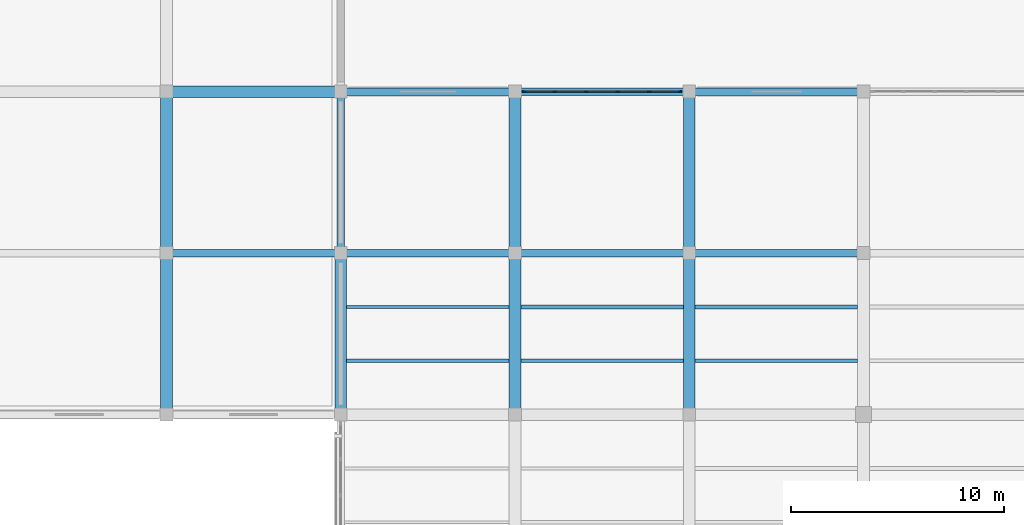
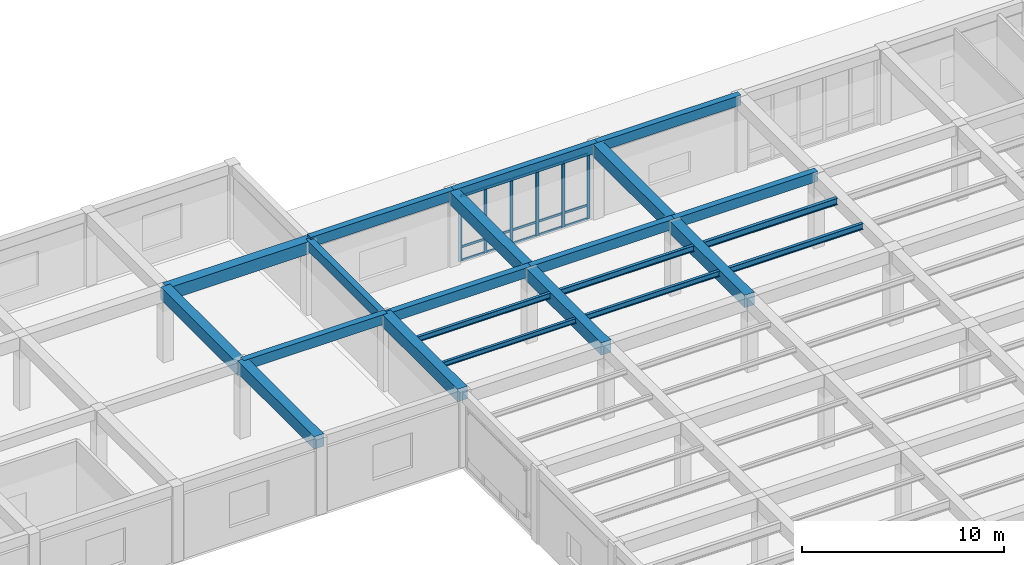
# One storey, part 19 of 57: 22 beams, 21 members, 1 element without a shape of its own.
"""IFC4 building model written with IfcOpenShell, lengths in metres."""

from ifc_helpers import new_model, si_unit, direction, frame, origin, origin_2d, place, context, subcontext, project, spatial, rectangle, i_section, extrude, material, material_profile, profile_set, type_object, element, aggregate, save


model = new_model("IFC4")

# Units and contexts
model_context = context("Model", 3, precision=1e-05, world=origin(), true_north=direction((0.0, 1.0)))
body_context = subcontext(model_context, "Body", "Model", "MODEL_VIEW")
ifc_project = project(units=[si_unit("LENGTHUNIT", "METRE"), si_unit("AREAUNIT", "SQUARE_METRE"), si_unit("VOLUMEUNIT", "CUBIC_METRE"), si_unit("PLANEANGLEUNIT", "RADIAN"), si_unit("MASSUNIT", "GRAM", prefix="KILO")], contexts=[model_context])

# Site, building, storey
site_placement = place(None, origin())
site = spatial("IfcSite", under=ifc_project, at=site_placement, CompositionType="ELEMENT")
building_placement = place(site_placement, origin())
building = spatial("IfcBuilding", under=site, at=building_placement, Name="Qandaris Square Conservatory and Botanical Centre", CompositionType="ELEMENT")
storey_placement = place(building_placement, frame((0.0, 0.0, 5.39990234375)))
storey = spatial("IfcBuildingStorey", under=building, at=storey_placement, Name="L01", CompositionType="ELEMENT", Elevation=5.39990234375)

# Beams
ifc_material_1 = material(Name="Steel S355", Category="steel")
ifc_material_profile_1 = material_profile(ifc_material_1, i_section(OverallWidth=0.14990234375, OverallDepth=0.300048828125, WebThickness=0.007080078125, FlangeThickness=0.0107421875, FilletRadius=0.014892578125, at=origin_2d()), Name="IPE 300")
ifc_profile_set_1 = profile_set([ifc_material_profile_1], Name="Steel S355")
beam_type_1 = type_object("IfcBeamType", Name="Composite Lab Joist IPE 300", PredefinedType="JOIST", material=ifc_profile_set_1)
beam_1_placement = place(storey_placement, frame((114.875, 95.13330078125, 4.360107421875), z_axis=(1.0, 0.0, 0.0), x_axis=(0.0, 1.0, 0.0)))
element("IfcBeam", 1, at=beam_1_placement, inside=storey, type_object=beam_type_1, Name="L01 Composite Joist 1187", PredefinedType="JOIST", context=body_context, shape_type="SweptSolid", body=[
    extrude(i_section(OverallWidth=0.14990234375, OverallDepth=0.300048828125, WebThickness=0.007080078125, FlangeThickness=0.0107421875, FilletRadius=0.014892578125, at=origin_2d()), origin(), (0.0, 0.0, 1.0), 7.64990234375),
])
ifc_material_profile_2 = material_profile(ifc_material_1, i_section(OverallWidth=0.159912109375, OverallDepth=0.330078125, WebThickness=0.007568359375, FlangeThickness=0.011474609375, FilletRadius=0.01806640625, at=origin_2d()), Name="IPE 330")
ifc_profile_set_2 = profile_set([ifc_material_profile_2], Name="Steel S355")
beam_type_2 = type_object("IfcBeamType", Name="Composite Lab Joist IPE 330", PredefinedType="JOIST", material=ifc_profile_set_2)
beam_2_placement = place(storey_placement, frame((114.875, 97.666748046875, 4.34521484375), z_axis=(1.0, 0.0, 0.0), x_axis=(0.0, 1.0, 0.0)))
element("IfcBeam", 2, at=beam_2_placement, inside=storey, type_object=beam_type_2, Name="L01 Composite Joist 1188", PredefinedType="JOIST", context=body_context, shape_type="SweptSolid", body=[
    extrude(i_section(OverallWidth=0.159912109375, OverallDepth=0.330078125, WebThickness=0.007568359375, FlangeThickness=0.011474609375, FilletRadius=0.01806640625, at=origin_2d()), origin(), (0.0, 0.0, 1.0), 7.64990234375),
])
beam_3_placement = place(storey_placement, frame((123.074951171875, 95.13330078125, 4.34521484375), z_axis=(1.0, 0.0, 0.0), x_axis=(0.0, 1.0, 0.0)))
element("IfcBeam", 3, at=beam_3_placement, inside=storey, type_object=beam_type_2, Name="L01 Composite Joist 1209", PredefinedType="JOIST", context=body_context, shape_type="SweptSolid", body=[
    extrude(i_section(OverallWidth=0.159912109375, OverallDepth=0.330078125, WebThickness=0.007568359375, FlangeThickness=0.011474609375, FilletRadius=0.01806640625, at=origin_2d()), origin(), (0.0, 0.0, 1.0), 7.650146484375),
])
ifc_material_profile_3 = material_profile(ifc_material_1, i_section(OverallWidth=0.169921875, OverallDepth=0.360107421875, WebThickness=0.008056640625, FlangeThickness=0.0126953125, FilletRadius=0.01806640625, at=origin_2d()), Name="IPE 360")
ifc_profile_set_3 = profile_set([ifc_material_profile_3], Name="Steel S355")
beam_type_3 = type_object("IfcBeamType", Name="Composite Lab Joist IPE 360", PredefinedType="JOIST", material=ifc_profile_set_3)
for number, where, z_axis, x_axis, name in (
    (4, (123.074951171875, 97.666748046875, 4.330078125), (1.0, 0.0, 0.0), (0.0, 1.0, 0.0), "L01 Composite Joist 1210"),
    (5, (131.27490234375, 95.13330078125, 4.330078125), (1.0, 0.0, 0.0), (0.0, 1.0, 0.0), "L01 Composite Joist 1231"),
):
    element("IfcBeam", number, at=place(storey_placement, frame(where, z_axis=z_axis, x_axis=x_axis)), inside=storey, type_object=beam_type_3, Name=name, PredefinedType="JOIST", context=body_context, shape_type="SweptSolid", body=[
        extrude(i_section(OverallWidth=0.169921875, OverallDepth=0.360107421875, WebThickness=0.008056640625, FlangeThickness=0.0126953125, FilletRadius=0.01806640625, at=origin_2d()), origin(), (0.0, 0.0, 1.0), 7.650146484375),
    ])
ifc_material_profile_4 = material_profile(ifc_material_1, i_section(OverallWidth=0.179931640625, OverallDepth=0.39990234375, WebThickness=0.008544921875, FlangeThickness=0.013427734375, FilletRadius=0.02099609375, at=origin_2d()), Name="IPE 400")
ifc_profile_set_4 = profile_set([ifc_material_profile_4], Name="Steel S355")
beam_type_4 = type_object("IfcBeamType", Name="Composite Plinth Joist IPE 400", PredefinedType="JOIST", material=ifc_profile_set_4)
beam_4_placement = place(storey_placement, frame((131.27490234375, 97.666748046875, 4.31005859375), z_axis=(1.0, 0.0, 0.0), x_axis=(0.0, 1.0, 0.0)))
element("IfcBeam", 6, at=beam_4_placement, inside=storey, type_object=beam_type_4, Name="L01 Composite Joist 1232", PredefinedType="JOIST", context=body_context, shape_type="SweptSolid", body=[
    extrude(i_section(OverallWidth=0.179931640625, OverallDepth=0.39990234375, WebThickness=0.008544921875, FlangeThickness=0.013427734375, FilletRadius=0.02099609375, at=origin_2d()), origin(), (0.0, 0.0, 1.0), 7.650146484375),
])

# Curtain wall, members
ifc_material_2 = material(Name="Anodised Aluminium", Category="aluminium")
curtain_wall_type = type_object("IfcCurtainWallType", Name="Unitised Curtain Wall CW-3-740x394", PredefinedType="USERDEFINED", material=ifc_material_2)
curtain_wall_placement = place(storey_placement, origin())
curtain_wall = element("IfcCurtainWall", 7, at=curtain_wall_placement, inside=storey, type_object=curtain_wall_type, Name="Curtain Wall CW-TWR-L01-3-5", ObjectType="GLAZED CURTAIN WALL", PredefinedType="USERDEFINED")
ifc_material_profile_5 = material_profile(ifc_material_2, rectangle(XDim=0.06494140625, YDim=0.179931640625, at=origin_2d()), Name="ALU-MUL 65x180")
ifc_profile_set_5 = profile_set([ifc_material_profile_5], Name="Anodised Aluminium")
member_type_1 = type_object("IfcMemberType", Name="Curtain Wall Mullion 65x180", PredefinedType="MULLION", material=ifc_profile_set_5)
member_1_placement = place(storey_placement, frame((130.5673828125, 107.800048828125, 0.0), z_axis=(0.0, 0.0, 1.0), x_axis=(0.0, -1.0, 0.0)))
member_1 = element("IfcMember", 8, at=member_1_placement, type_object=member_type_1, Name="CW-3-740x394 mullion 1", PredefinedType="MULLION", context=body_context, shape_type="SweptSolid", body=[
    extrude(rectangle(XDim=0.06494140625, YDim=0.179931640625, at=origin_2d()), origin(), (0.0, 0.0, 1.0), 3.945068359375),
])
member_2_placement = place(storey_placement, frame((129.1201171875, 107.800048828125, 0.0), z_axis=(0.0, 0.0, 1.0), x_axis=(0.0, -1.0, 0.0)))
member_2 = element("IfcMember", 9, at=member_2_placement, type_object=member_type_1, Name="CW-3-740x394 mullion 2", PredefinedType="MULLION", context=body_context, shape_type="SweptSolid", body=[
    extrude(rectangle(XDim=0.06494140625, YDim=0.179931640625, at=origin_2d()), origin(), (0.0, 0.0, 1.0), 3.945068359375),
])
member_3_placement = place(storey_placement, frame((127.639892578125, 107.800048828125, 0.0), z_axis=(0.0, 0.0, 1.0), x_axis=(0.0, -1.0, 0.0)))
member_3 = element("IfcMember", 10, at=member_3_placement, type_object=member_type_1, Name="CW-3-740x394 mullion 3", PredefinedType="MULLION", context=body_context, shape_type="SweptSolid", body=[
    extrude(rectangle(XDim=0.06494140625, YDim=0.179931640625, at=origin_2d()), origin(), (0.0, 0.0, 1.0), 3.945068359375),
])
member_4_placement = place(storey_placement, frame((126.159912109375, 107.800048828125, 0.0), z_axis=(0.0, 0.0, 1.0), x_axis=(0.0, -1.0, 0.0)))
member_4 = element("IfcMember", 11, at=member_4_placement, type_object=member_type_1, Name="CW-3-740x394 mullion 4", PredefinedType="MULLION", context=body_context, shape_type="SweptSolid", body=[
    extrude(rectangle(XDim=0.06494140625, YDim=0.179931640625, at=origin_2d()), origin(), (0.0, 0.0, 1.0), 3.945068359375),
])
member_5_placement = place(storey_placement, frame((124.679931640625, 107.800048828125, 0.0), z_axis=(0.0, 0.0, 1.0), x_axis=(0.0, -1.0, 0.0)))
member_5 = element("IfcMember", 12, at=member_5_placement, type_object=member_type_1, Name="CW-3-740x394 mullion 5", PredefinedType="MULLION", context=body_context, shape_type="SweptSolid", body=[
    extrude(rectangle(XDim=0.06494140625, YDim=0.179931640625, at=origin_2d()), origin(), (0.0, 0.0, 1.0), 3.945068359375),
])
member_6_placement = place(storey_placement, frame((123.232421875, 107.800048828125, 0.0), z_axis=(0.0, 0.0, 1.0), x_axis=(0.0, -1.0, 0.0)))
member_6 = element("IfcMember", 13, at=member_6_placement, type_object=member_type_1, Name="CW-3-740x394 mullion 6", PredefinedType="MULLION", context=body_context, shape_type="SweptSolid", body=[
    extrude(rectangle(XDim=0.06494140625, YDim=0.179931640625, at=origin_2d()), origin(), (0.0, 0.0, 1.0), 3.945068359375),
])
ifc_material_profile_6 = material_profile(ifc_material_2, rectangle(XDim=0.06494140625, YDim=0.139892578125, at=origin_2d()), Name="ALU-TRN 65x140")
ifc_profile_set_6 = profile_set([ifc_material_profile_6], Name="Anodised Aluminium")
member_type_2 = type_object("IfcMemberType", Name="Curtain Wall Transom 65x140", PredefinedType="USERDEFINED", material=ifc_profile_set_6)
member_7_placement = place(storey_placement, frame((130.534912109375, 107.800048828125, 0.03271484375), z_axis=(-1.0, 0.0, 0.0), x_axis=(0.0, -1.0, 0.0)))
member_7 = element("IfcMember", 14, at=member_7_placement, type_object=member_type_2, Name="CW-3-740x394 transom 1.1", ObjectType="TRANSOM", PredefinedType="USERDEFINED", context=body_context, shape_type="SweptSolid", body=[
    extrude(rectangle(XDim=0.06494140625, YDim=0.139892578125, at=origin_2d()), origin(), (0.0, 0.0, 1.0), 1.38232421875),
])
member_8_placement = place(storey_placement, frame((130.534912109375, 107.800048828125, 0.85009765625), z_axis=(-1.0, 0.0, 0.0), x_axis=(0.0, -1.0, 0.0)))
member_8 = element("IfcMember", 15, at=member_8_placement, type_object=member_type_2, Name="CW-3-740x394 transom 1.2", ObjectType="TRANSOM", PredefinedType="USERDEFINED", context=body_context, shape_type="SweptSolid", body=[
    extrude(rectangle(XDim=0.06494140625, YDim=0.139892578125, at=origin_2d()), origin(), (0.0, 0.0, 1.0), 1.38232421875),
])
member_9_placement = place(storey_placement, frame((130.534912109375, 107.800048828125, 3.91259765625), z_axis=(-1.0, 0.0, 0.0), x_axis=(0.0, -1.0, 0.0)))
member_9 = element("IfcMember", 16, at=member_9_placement, type_object=member_type_2, Name="CW-3-740x394 transom 1.3", ObjectType="TRANSOM", PredefinedType="USERDEFINED", context=body_context, shape_type="SweptSolid", body=[
    extrude(rectangle(XDim=0.06494140625, YDim=0.139892578125, at=origin_2d()), origin(), (0.0, 0.0, 1.0), 1.38232421875),
])
member_10_placement = place(storey_placement, frame((129.08740234375, 107.800048828125, 0.03271484375), z_axis=(-1.0, 0.0, 0.0), x_axis=(0.0, -1.0, 0.0)))
member_10 = element("IfcMember", 17, at=member_10_placement, type_object=member_type_2, Name="CW-3-740x394 transom 2.1", ObjectType="TRANSOM", PredefinedType="USERDEFINED", context=body_context, shape_type="SweptSolid", body=[
    extrude(rectangle(XDim=0.06494140625, YDim=0.139892578125, at=origin_2d()), origin(), (0.0, 0.0, 1.0), 1.414794921875),
])
member_11_placement = place(storey_placement, frame((129.08740234375, 107.800048828125, 0.85009765625), z_axis=(-1.0, 0.0, 0.0), x_axis=(0.0, -1.0, 0.0)))
member_11 = element("IfcMember", 18, at=member_11_placement, type_object=member_type_2, Name="CW-3-740x394 transom 2.2", ObjectType="TRANSOM", PredefinedType="USERDEFINED", context=body_context, shape_type="SweptSolid", body=[
    extrude(rectangle(XDim=0.06494140625, YDim=0.139892578125, at=origin_2d()), origin(), (0.0, 0.0, 1.0), 1.414794921875),
])
member_12_placement = place(storey_placement, frame((129.08740234375, 107.800048828125, 3.91259765625), z_axis=(-1.0, 0.0, 0.0), x_axis=(0.0, -1.0, 0.0)))
member_12 = element("IfcMember", 19, at=member_12_placement, type_object=member_type_2, Name="CW-3-740x394 transom 2.3", ObjectType="TRANSOM", PredefinedType="USERDEFINED", context=body_context, shape_type="SweptSolid", body=[
    extrude(rectangle(XDim=0.06494140625, YDim=0.139892578125, at=origin_2d()), origin(), (0.0, 0.0, 1.0), 1.414794921875),
])
member_13_placement = place(storey_placement, frame((127.607421875, 107.800048828125, 0.03271484375), z_axis=(-1.0, 0.0, 0.0), x_axis=(0.0, -1.0, 0.0)))
member_13 = element("IfcMember", 20, at=member_13_placement, type_object=member_type_2, Name="CW-3-740x394 transom 3.1", ObjectType="TRANSOM", PredefinedType="USERDEFINED", context=body_context, shape_type="SweptSolid", body=[
    extrude(rectangle(XDim=0.06494140625, YDim=0.139892578125, at=origin_2d()), origin(), (0.0, 0.0, 1.0), 1.4150390625),
])
member_14_placement = place(storey_placement, frame((127.607421875, 107.800048828125, 0.85009765625), z_axis=(-1.0, 0.0, 0.0), x_axis=(0.0, -1.0, 0.0)))
member_14 = element("IfcMember", 21, at=member_14_placement, type_object=member_type_2, Name="CW-3-740x394 transom 3.2", ObjectType="TRANSOM", PredefinedType="USERDEFINED", context=body_context, shape_type="SweptSolid", body=[
    extrude(rectangle(XDim=0.06494140625, YDim=0.139892578125, at=origin_2d()), origin(), (0.0, 0.0, 1.0), 1.4150390625),
])
member_15_placement = place(storey_placement, frame((127.607421875, 107.800048828125, 3.91259765625), z_axis=(-1.0, 0.0, 0.0), x_axis=(0.0, -1.0, 0.0)))
member_15 = element("IfcMember", 22, at=member_15_placement, type_object=member_type_2, Name="CW-3-740x394 transom 3.3", ObjectType="TRANSOM", PredefinedType="USERDEFINED", context=body_context, shape_type="SweptSolid", body=[
    extrude(rectangle(XDim=0.06494140625, YDim=0.139892578125, at=origin_2d()), origin(), (0.0, 0.0, 1.0), 1.4150390625),
])
member_16_placement = place(storey_placement, frame((126.12744140625, 107.800048828125, 0.03271484375), z_axis=(-1.0, 0.0, 0.0), x_axis=(0.0, -1.0, 0.0)))
member_16 = element("IfcMember", 23, at=member_16_placement, type_object=member_type_2, Name="CW-3-740x394 transom 4.1", ObjectType="TRANSOM", PredefinedType="USERDEFINED", context=body_context, shape_type="SweptSolid", body=[
    extrude(rectangle(XDim=0.06494140625, YDim=0.139892578125, at=origin_2d()), origin(), (0.0, 0.0, 1.0), 1.4150390625),
])
member_17_placement = place(storey_placement, frame((126.12744140625, 107.800048828125, 0.85009765625), z_axis=(-1.0, 0.0, 0.0), x_axis=(0.0, -1.0, 0.0)))
member_17 = element("IfcMember", 24, at=member_17_placement, type_object=member_type_2, Name="CW-3-740x394 transom 4.2", ObjectType="TRANSOM", PredefinedType="USERDEFINED", context=body_context, shape_type="SweptSolid", body=[
    extrude(rectangle(XDim=0.06494140625, YDim=0.139892578125, at=origin_2d()), origin(), (0.0, 0.0, 1.0), 1.4150390625),
])
member_18_placement = place(storey_placement, frame((126.12744140625, 107.800048828125, 3.91259765625), z_axis=(-1.0, 0.0, 0.0), x_axis=(0.0, -1.0, 0.0)))
member_18 = element("IfcMember", 25, at=member_18_placement, type_object=member_type_2, Name="CW-3-740x394 transom 4.3", ObjectType="TRANSOM", PredefinedType="USERDEFINED", context=body_context, shape_type="SweptSolid", body=[
    extrude(rectangle(XDim=0.06494140625, YDim=0.139892578125, at=origin_2d()), origin(), (0.0, 0.0, 1.0), 1.4150390625),
])
member_19_placement = place(storey_placement, frame((124.6474609375, 107.800048828125, 0.03271484375), z_axis=(-1.0, 0.0, 0.0), x_axis=(0.0, -1.0, 0.0)))
member_19 = element("IfcMember", 26, at=member_19_placement, type_object=member_type_2, Name="CW-3-740x394 transom 5.1", ObjectType="TRANSOM", PredefinedType="USERDEFINED", context=body_context, shape_type="SweptSolid", body=[
    extrude(rectangle(XDim=0.06494140625, YDim=0.139892578125, at=origin_2d()), origin(), (0.0, 0.0, 1.0), 1.382568359375),
])
member_20_placement = place(storey_placement, frame((124.6474609375, 107.800048828125, 0.85009765625), z_axis=(-1.0, 0.0, 0.0), x_axis=(0.0, -1.0, 0.0)))
member_20 = element("IfcMember", 27, at=member_20_placement, type_object=member_type_2, Name="CW-3-740x394 transom 5.2", ObjectType="TRANSOM", PredefinedType="USERDEFINED", context=body_context, shape_type="SweptSolid", body=[
    extrude(rectangle(XDim=0.06494140625, YDim=0.139892578125, at=origin_2d()), origin(), (0.0, 0.0, 1.0), 1.382568359375),
])
member_21_placement = place(storey_placement, frame((124.6474609375, 107.800048828125, 3.91259765625), z_axis=(-1.0, 0.0, 0.0), x_axis=(0.0, -1.0, 0.0)))
member_21 = element("IfcMember", 28, at=member_21_placement, type_object=member_type_2, Name="CW-3-740x394 transom 5.3", ObjectType="TRANSOM", PredefinedType="USERDEFINED", context=body_context, shape_type="SweptSolid", body=[
    extrude(rectangle(XDim=0.06494140625, YDim=0.139892578125, at=origin_2d()), origin(), (0.0, 0.0, 1.0), 1.382568359375),
])
aggregate(curtain_wall, [member_1, member_2, member_3, member_4, member_5, member_6, member_7, member_8, member_9, member_10, member_11, member_12, member_13, member_14, member_15, member_16, member_17, member_18, member_19, member_20, member_21])

# Beams
ifc_material_3 = material(Name="Concrete C50/60", Category="concrete")
ifc_material_profile_7 = material_profile(ifc_material_3, rectangle(XDim=0.35009765625, YDim=0.60009765625, at=origin_2d()), Name="RC-SP 350x600")
ifc_profile_set_7 = profile_set([ifc_material_profile_7], Name="Concrete C50/60")
beam_type_5 = type_object("IfcBeamType", Name="RC Edge Spandrel Beam 350x600", PredefinedType="SPANDREL", material=ifc_profile_set_7)
beam_5_placement = place(storey_placement, frame((106.39990234375, 100.199951171875, 4.28515625), z_axis=(1.0, 0.0, 0.0), x_axis=(0.0, 1.0, 0.0)))
element("IfcBeam", 29, at=beam_5_placement, inside=storey, type_object=beam_type_5, Name="L01 Frame Beam 1001", PredefinedType="SPANDREL", context=body_context, shape_type="SweptSolid", body=[
    extrude(rectangle(XDim=0.35009765625, YDim=0.60009765625, at=origin_2d()), origin(), (0.0, 0.0, 1.0), 8.2001953125),
])
for number, where, z_axis, x_axis, name in (
    (30, (114.60009765625, 100.199951171875, 4.2451171875), (1.0, 0.0, 0.0), (0.0, 1.0, 0.0), "L01 Frame Beam 1002"),
    (31, (122.800048828125, 100.199951171875, 4.2451171875), (1.0, 0.0, 0.0), (0.0, 1.0, 0.0), "L01 Frame Beam 1003"),
    (32, (131.0, 100.199951171875, 4.2451171875), (1.0, 0.0, 0.0), (0.0, 1.0, 0.0), "L01 Frame Beam 1004"),
    (33, (114.60009765625, 107.800048828125, 4.2451171875), (1.0, 0.0, 0.0), (0.0, 1.0, 0.0), "L01 Frame Beam 1013"),
    (34, (122.800048828125, 107.800048828125, 4.2451171875), (1.0, 0.0, 0.0), (0.0, 1.0, 0.0), "L01 Frame Beam 1014"),
    (35, (131.0, 107.800048828125, 4.2451171875), (1.0, 0.0, 0.0), (0.0, 1.0, 0.0), "L01 Frame Beam 1015"),
):
    element("IfcBeam", number, at=place(storey_placement, frame(where, z_axis=z_axis, x_axis=x_axis)), inside=storey, type_object=beam_type_5, Name=name, PredefinedType="SPANDREL", context=body_context, shape_type="SweptSolid", body=[
        extrude(rectangle(XDim=0.35009765625, YDim=0.60009765625, at=origin_2d()), origin(), (0.0, 0.0, 1.0), 8.199951171875),
    ])
beam_6_placement = place(storey_placement, frame((114.60009765625, 100.199951171875, 4.1201171875), z_axis=(0.0, 1.0, 0.0), x_axis=(-1.0, 0.0, 0.0)))
element("IfcBeam", 36, at=beam_6_placement, inside=storey, type_object=beam_type_5, Name="L01 Frame Beam 1081", PredefinedType="SPANDREL", context=body_context, shape_type="SweptSolid", body=[
    extrude(rectangle(XDim=0.35009765625, YDim=0.60009765625, at=origin_2d()), origin(), (0.0, 0.0, 1.0), 7.60009765625),
])
ifc_material_profile_8 = material_profile(ifc_material_3, rectangle(XDim=0.550048828125, YDim=0.75, at=origin_2d()), Name="RC-BM 550x750")
ifc_profile_set_8 = profile_set([ifc_material_profile_8], Name="Concrete C50/60")
beam_type_6 = type_object("IfcBeamType", Name="RC Plinth Girder 550x750", PredefinedType="BEAM", material=ifc_profile_set_8)
beam_7_placement = place(storey_placement, frame((106.39990234375, 107.800048828125, 4.045166015625), z_axis=(1.0, 0.0, 0.0), x_axis=(0.0, 1.0, 0.0)))
element("IfcBeam", 37, at=beam_7_placement, inside=storey, type_object=beam_type_6, Name="L01 Frame Beam 1012", PredefinedType="BEAM", context=body_context, shape_type="SweptSolid", body=[
    extrude(rectangle(XDim=0.550048828125, YDim=0.75, at=origin_2d()), origin(), (0.0, 0.0, 1.0), 8.2001953125),
])
beam_8_placement = place(storey_placement, frame((106.39990234375, 92.60009765625, 4.210205078125), z_axis=(0.0, 1.0, 0.0), x_axis=(-1.0, 0.0, 0.0)))
element("IfcBeam", 38, at=beam_8_placement, inside=storey, type_object=beam_type_6, Name="L01 Frame Beam 1067", PredefinedType="BEAM", context=body_context, shape_type="SweptSolid", body=[
    extrude(rectangle(XDim=0.550048828125, YDim=0.75, at=origin_2d()), origin(), (0.0, 0.0, 1.0), 7.599853515625),
])
beam_9_placement = place(storey_placement, frame((106.39990234375, 100.199951171875, 4.045166015625), z_axis=(0.0, 1.0, 0.0), x_axis=(-1.0, 0.0, 0.0)))
element("IfcBeam", 39, at=beam_9_placement, inside=storey, type_object=beam_type_6, Name="L01 Frame Beam 1068", PredefinedType="BEAM", context=body_context, shape_type="SweptSolid", body=[
    extrude(rectangle(XDim=0.550048828125, YDim=0.75, at=origin_2d()), origin(), (0.0, 0.0, 1.0), 7.60009765625),
])
for number, where, z_axis, x_axis, name in (
    (40, (114.60009765625, 92.60009765625, 4.210205078125), (0.0, 1.0, 0.0), (-1.0, 0.0, 0.0), "L01 Frame Beam 1080"),
    (41, (122.800048828125, 92.60009765625, 4.14501953125), (0.0, 1.0, 0.0), (-1.0, 0.0, 0.0), "L01 Frame Beam 1093"),
):
    element("IfcBeam", number, at=place(storey_placement, frame(where, z_axis=z_axis, x_axis=x_axis)), inside=storey, type_object=beam_type_6, Name=name, PredefinedType="BEAM", context=body_context, shape_type="SweptSolid", body=[
        extrude(rectangle(XDim=0.550048828125, YDim=0.75, at=origin_2d()), origin(), (0.0, 0.0, 1.0), 7.599853515625),
    ])
beam_10_placement = place(storey_placement, frame((122.800048828125, 100.199951171875, 4.170166015625), z_axis=(0.0, 1.0, 0.0), x_axis=(-1.0, 0.0, 0.0)))
element("IfcBeam", 42, at=beam_10_placement, inside=storey, type_object=beam_type_6, Name="L01 Frame Beam 1094", PredefinedType="BEAM", context=body_context, shape_type="SweptSolid", body=[
    extrude(rectangle(XDim=0.550048828125, YDim=0.75, at=origin_2d()), origin(), (0.0, 0.0, 1.0), 7.60009765625),
])
beam_11_placement = place(storey_placement, frame((131.0, 92.60009765625, 4.14501953125), z_axis=(0.0, 1.0, 0.0), x_axis=(-1.0, 0.0, 0.0)))
element("IfcBeam", 43, at=beam_11_placement, inside=storey, type_object=beam_type_6, Name="L01 Frame Beam 1105", PredefinedType="BEAM", context=body_context, shape_type="SweptSolid", body=[
    extrude(rectangle(XDim=0.550048828125, YDim=0.75, at=origin_2d()), origin(), (0.0, 0.0, 1.0), 7.599853515625),
])
beam_12_placement = place(storey_placement, frame((131.0, 100.199951171875, 4.170166015625), z_axis=(0.0, 1.0, 0.0), x_axis=(-1.0, 0.0, 0.0)))
element("IfcBeam", 44, at=beam_12_placement, inside=storey, type_object=beam_type_6, Name="L01 Frame Beam 1106", PredefinedType="BEAM", context=body_context, shape_type="SweptSolid", body=[
    extrude(rectangle(XDim=0.550048828125, YDim=0.75, at=origin_2d()), origin(), (0.0, 0.0, 1.0), 7.60009765625),
])

save(model, "model.ifc")
